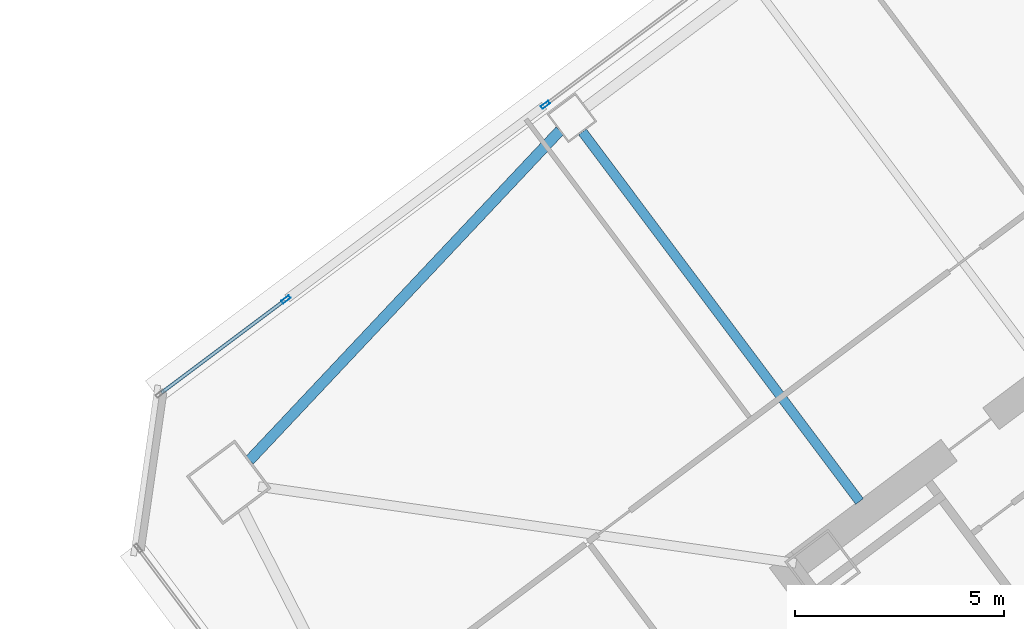
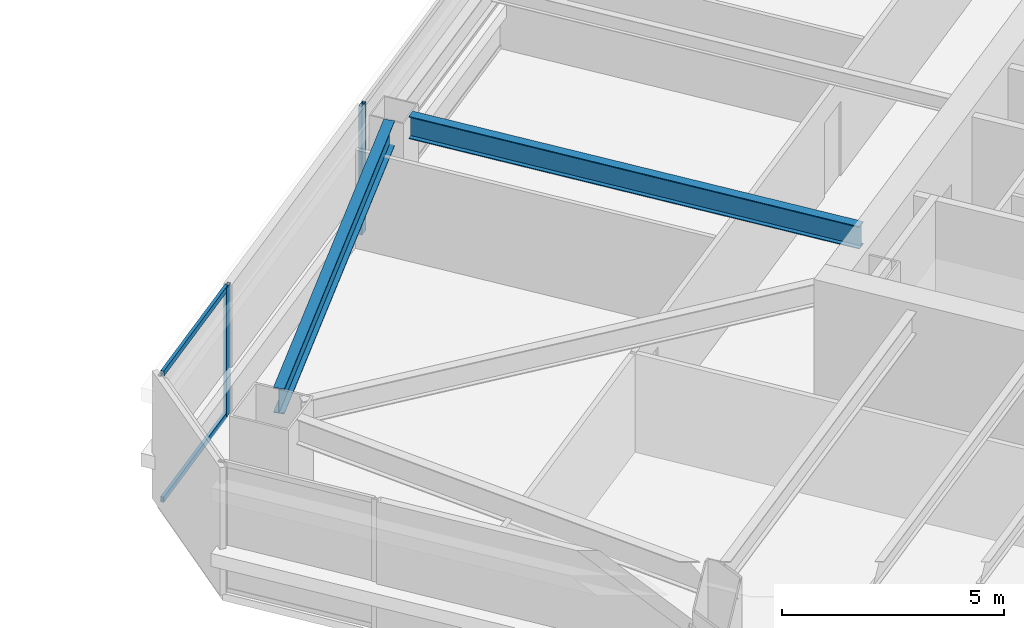
# One storey, part 29 of 47: 4 members, 2 beams, 2 elements without a shape of their own.
"""IFC4 building model written with IfcOpenShell, lengths in metres."""

from ifc_helpers import new_model, si_unit, direction, frame, origin, origin_2d, place, context, subcontext, project, spatial, hollow_rectangle, i_section, extrude, material, material_profile, profile_set, type_object, element, aggregate, save


model = new_model("IFC4")

# Units and contexts
model_context = context("Model", 3, precision=1e-05, world=origin(), true_north=direction((0.0, 1.0)))
body_context = subcontext(model_context, "Body", "Model", "MODEL_VIEW")
ifc_project = project(units=[si_unit("LENGTHUNIT", "METRE"), si_unit("AREAUNIT", "SQUARE_METRE"), si_unit("VOLUMEUNIT", "CUBIC_METRE"), si_unit("PLANEANGLEUNIT", "RADIAN"), si_unit("MASSUNIT", "GRAM", prefix="KILO")], contexts=[model_context])

# Site, building, storey
site_placement = place(None, origin())
site = spatial("IfcSite", under=ifc_project, at=site_placement, CompositionType="ELEMENT")
building_placement = place(site_placement, origin())
building = spatial("IfcBuilding", under=site, at=building_placement, Name="Tashvorn Skyway Center", CompositionType="ELEMENT")
storey_placement = place(building_placement, frame((0.0, 0.0, 81.39990234375)))
storey = spatial("IfcBuildingStorey", under=building, at=storey_placement, Name="L21", CompositionType="ELEMENT", Elevation=81.39990234375)

# Beams
ifc_material_1 = material(Name="Steel ASTM A992 Grade 50", Category="steel")
ifc_material_profile_1 = material_profile(ifc_material_1, i_section(OverallWidth=0.22998046875, OverallDepth=0.616943359375, WebThickness=0.01318359375, FlangeThickness=0.022216796875, at=origin_2d()), Name="W24X94")
ifc_profile_set_1 = profile_set([ifc_material_profile_1], Name="Steel ASTM A992 Grade 50")
beam_type_1 = type_object("IfcBeamType", Name="BM-BEAM-W24X94", PredefinedType="BEAM", material=ifc_profile_set_1)
beam_1_placement = place(storey_placement, frame((98.382080078125, 43.823974609375, 3.04150390625), z_axis=(0.599989394744, -0.800007953832, 0.0), x_axis=(0.800007953832, 0.599989394744, 0.0)))
element("IfcBeam", 1, at=beam_1_placement, inside=storey, type_object=beam_type_1, Name="Tower 2 L21 Primary Floor Girder FC-N2", PredefinedType="BEAM", context=body_context, shape_type="SweptSolid", body=[
    extrude(i_section(OverallWidth=0.22998046875, OverallDepth=0.616943359375, WebThickness=0.01318359375, FlangeThickness=0.022216796875, at=origin_2d()), origin(), (0.0, 0.0, 1.0), 11.050048828125),
])
ifc_material_profile_2 = material_profile(ifc_material_1, i_section(OverallWidth=0.256103515625, OverallDepth=0.693115234375, WebThickness=0.014404296875, FlangeThickness=0.023681640625, at=origin_2d()), Name="W27X114")
ifc_profile_set_2 = profile_set([ifc_material_profile_2], Name="Steel ASTM A992 Grade 50")
beam_type_2 = type_object("IfcBeamType", Name="BM-SPANDREL-W27X114", PredefinedType="SPANDREL", material=ifc_profile_set_2)
beam_2_placement = place(storey_placement, frame((97.842041015625, 43.854248046875, 3.003662109375), z_axis=(-0.685484857238, -0.728086883893, 0.0), x_axis=(0.728086883893, -0.685484857238, 0.0)))
element("IfcBeam", 2, at=beam_2_placement, inside=storey, type_object=beam_type_2, Name="Tower 2 L21 Spandrel Beam 09", PredefinedType="SPANDREL", context=body_context, shape_type="SweptSolid", body=[
    extrude(i_section(OverallWidth=0.256103515625, OverallDepth=0.693115234375, WebThickness=0.014404296875, FlangeThickness=0.023681640625, at=origin_2d()), origin(), (0.0, 0.0, 1.0), 10.8369140625),
])

# Curtain wall, member
ifc_material_2 = material(Name="Thermally broken bronze-anodized aluminium 6063-T6", Category="aluminium")
curtain_wall_type = type_object("IfcCurtainWallType", Name="CW-CW-Z2", PredefinedType="NOTDEFINED", material=ifc_material_2)
curtain_wall_1_placement = place(storey_placement, origin())
curtain_wall_1 = element("IfcCurtainWall", 3, at=curtain_wall_1_placement, inside=storey, type_object=curtain_wall_type, Name="Tower 2 L21 North Unitised Curtain Wall Glazing Group 1", PredefinedType="NOTDEFINED")
ifc_material_profile_3 = material_profile(ifc_material_2, hollow_rectangle(XDim=0.080078125, YDim=0.219970703125, WallThickness=0.0048828125, at=origin_2d()), Name="ALU-MULL-80x220")
ifc_profile_set_3 = profile_set([ifc_material_profile_3], Name="Thermally broken bronze-anodized aluminium 6063-T6")
member_type_1 = type_object("IfcMemberType", Name="CWM-CW-Z2", PredefinedType="MULLION", material=ifc_profile_set_3)
member_1_placement = place(storey_placement, frame((91.2880859375, 39.81591796875, 0.0), z_axis=(0.0, 0.0, 1.0), x_axis=(-0.600000000002, 0.799999999998, 0.0)))
member_1 = element("IfcMember", 4, at=member_1_placement, type_object=member_type_1, Name="CW-Z2 mullion 2", PredefinedType="MULLION", context=body_context, shape_type="SweptSolid", body=[
    extrude(hollow_rectangle(XDim=0.080078125, YDim=0.219970703125, WallThickness=0.0048828125, at=origin_2d()), origin(), (0.0, 0.0, 1.0), 3.550048828125),
])

curtain_wall_2_placement = place(storey_placement, origin())
curtain_wall_2 = element("IfcCurtainWall", 5, at=curtain_wall_2_placement, inside=storey, type_object=curtain_wall_type, Name="Tower 2 L21 North Unitised Curtain Wall Glazing Group 2", PredefinedType="NOTDEFINED")
member_2_placement = place(storey_placement, frame((97.49609375, 44.471923828125, 0.0), z_axis=(0.0, 0.0, 1.0), x_axis=(-0.600000000002, 0.799999999998, 0.0)))
member_2 = element("IfcMember", 6, at=member_2_placement, type_object=member_type_1, Name="CW-Z2 mullion 1", PredefinedType="MULLION", context=body_context, shape_type="SweptSolid", body=[
    extrude(hollow_rectangle(XDim=0.080078125, YDim=0.219970703125, WallThickness=0.0048828125, at=origin_2d()), origin(), (0.0, 0.0, 1.0), 3.550048828125),
])
aggregate(curtain_wall_2, [member_2])

# Member
ifc_material_profile_4 = material_profile(ifc_material_2, hollow_rectangle(XDim=0.080078125, YDim=0.14990234375, WallThickness=0.00439453125, at=origin_2d()), Name="ALU-TRAN-80x150")
ifc_profile_set_4 = profile_set([ifc_material_profile_4], Name="Thermally broken bronze-anodized aluminium 6063-T6")
member_type_2 = type_object("IfcMemberType", Name="CWT-CW-Z2", PredefinedType="USERDEFINED", material=ifc_profile_set_4)
member_3_placement = place(storey_placement, frame((88.31201171875, 37.583984375, 0.0400390625), z_axis=(0.800007960868, 0.599989385363, 0.0), x_axis=(-0.599989385363, 0.800007960868, 0.0)))
member_3 = element("IfcMember", 7, at=member_3_placement, type_object=member_type_2, Name="CW-Z2 transom 1.1", ObjectType="TRANSOM", PredefinedType="USERDEFINED", context=body_context, shape_type="SweptSolid", body=[
    extrude(hollow_rectangle(XDim=0.080078125, YDim=0.14990234375, WallThickness=0.00439453125, at=origin_2d()), origin(), (0.0, 0.0, 1.0), 3.68017578125),
])

member_4_placement = place(storey_placement, frame((88.31201171875, 37.583984375, 3.510009765625), z_axis=(0.800007960868, 0.599989385363, 0.0), x_axis=(-0.599989385363, 0.800007960868, 0.0)))
member_4 = element("IfcMember", 8, at=member_4_placement, type_object=member_type_2, Name="CW-Z2 transom 1.2", ObjectType="TRANSOM", PredefinedType="USERDEFINED", context=body_context, shape_type="SweptSolid", body=[
    extrude(hollow_rectangle(XDim=0.080078125, YDim=0.14990234375, WallThickness=0.00439453125, at=origin_2d()), origin(), (0.0, 0.0, 1.0), 3.68017578125),
])

aggregate(curtain_wall_1, [member_1, member_3, member_4])

save(model, "model.ifc")
